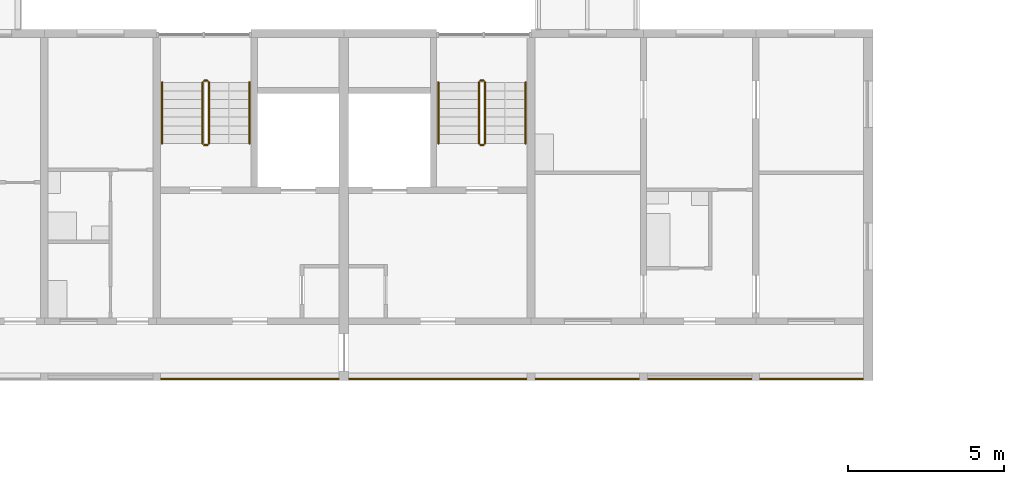
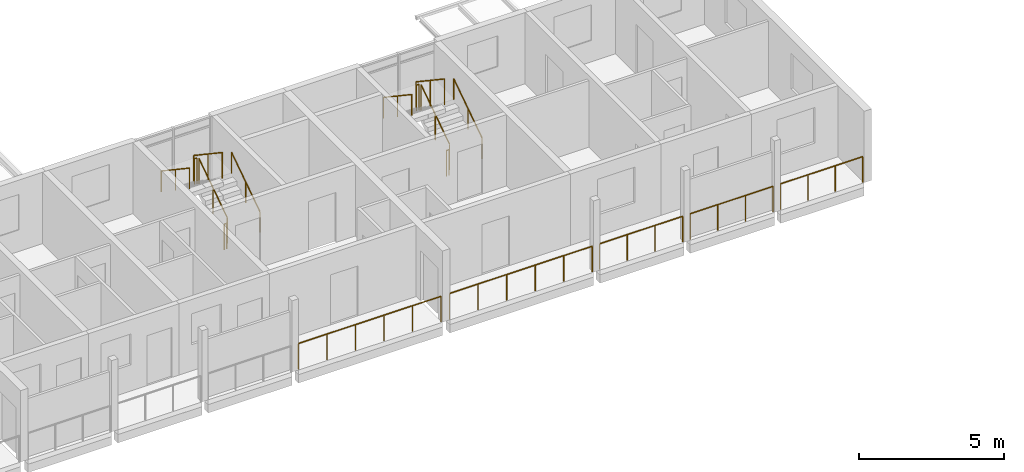
# One storey, part 112 of 115: 17 railings.
"""IFC4 building model written with IfcOpenShell, lengths in metres."""

from ifc_helpers import new_model, si_unit, direction, frame, origin, origin_2d, place, context, subcontext, project, spatial, circle, extrude, material, type_object, element, save


model = new_model("IFC4")

# Units and contexts
model_context = context("Model", 3, precision=1e-05, world=origin(), true_north=direction((0.0, 1.0)))
body_context = subcontext(model_context, "Body", "Model", "MODEL_VIEW")
ifc_project = project(units=[si_unit("LENGTHUNIT", "METRE"), si_unit("AREAUNIT", "SQUARE_METRE"), si_unit("VOLUMEUNIT", "CUBIC_METRE"), si_unit("PLANEANGLEUNIT", "RADIAN"), si_unit("MASSUNIT", "GRAM", prefix="KILO")], contexts=[model_context])

# Site, building, storey
site_placement = place(None, origin())
site = spatial("IfcSite", under=ifc_project, at=site_placement, CompositionType="ELEMENT")
building_placement = place(site_placement, origin())
building = spatial("IfcBuilding", under=site, at=building_placement, Name="Ridgestep Commons", CompositionType="ELEMENT")
storey_placement = place(building_placement, frame((0.0, 0.0, 6.0)))
storey = spatial("IfcBuildingStorey", under=building, at=storey_placement, Name="L02", CompositionType="ELEMENT", Elevation=6.0)

# Railings
ifc_material_1 = material(Name="Structural steel S355JR", Category="steel")
railing_type_1 = type_object("IfcRailingType", Name="Guard 1100", PredefinedType="GUARDRAIL", material=ifc_material_1)
railing_1_placement = place(storey_placement, frame((224.946044921875, 66.050048828125, 0.0)))
element("IfcRailing", 1, at=railing_1_placement, inside=storey, type_object=railing_type_1, Name="Gallery guard C 02.20", PredefinedType="GUARDRAIL", context=body_context, shape_type="SweptSolid", body=[
    extrude(circle(Radius=0.02392578125, at=origin_2d()), frame((0.0, 0.0, 1.076171875), z_axis=(1.0, 0.0, 0.0), x_axis=(0.0, 1.0, 0.0)), (0.0, 0.0, 1.0), 5.682861328125),
    extrude(circle(Radius=0.02099609375, at=origin_2d()), origin(), (0.0, 0.0, 1.0), 1.052001953125),
    extrude(circle(Radius=0.02099609375, at=origin_2d()), frame((1.136474609375, 0.0, 0.0)), (0.0, 0.0, 1.0), 1.052001953125),
    extrude(circle(Radius=0.02099609375, at=origin_2d()), frame((2.273193359375, 0.0, 0.0)), (0.0, 0.0, 1.0), 1.052001953125),
    extrude(circle(Radius=0.02099609375, at=origin_2d()), frame((3.40966796875, 0.0, 0.0)), (0.0, 0.0, 1.0), 1.052001953125),
    extrude(circle(Radius=0.02099609375, at=origin_2d()), frame((4.54638671875, 0.0, 0.0)), (0.0, 0.0, 1.0), 1.052001953125),
    extrude(circle(Radius=0.02099609375, at=origin_2d()), frame((5.682861328125, 0.0, 0.0)), (0.0, 0.0, 1.0), 1.052001953125),
])
railing_2_placement = place(storey_placement, frame((230.970947265625, 66.050048828125, 0.0)))
element("IfcRailing", 2, at=railing_2_placement, inside=storey, type_object=railing_type_1, Name="Gallery guard C 02.21", PredefinedType="GUARDRAIL", context=body_context, shape_type="SweptSolid", body=[
    extrude(circle(Radius=0.02392578125, at=origin_2d()), frame((0.0, 0.0, 1.076171875), z_axis=(1.0, 0.0, 0.0), x_axis=(0.0, 1.0, 0.0)), (0.0, 0.0, 1.0), 5.68310546875),
    extrude(circle(Radius=0.02099609375, at=origin_2d()), origin(), (0.0, 0.0, 1.0), 1.052001953125),
    extrude(circle(Radius=0.02099609375, at=origin_2d()), frame((1.13671875, 0.0, 0.0)), (0.0, 0.0, 1.0), 1.052001953125),
    extrude(circle(Radius=0.02099609375, at=origin_2d()), frame((2.273193359375, 0.0, 0.0)), (0.0, 0.0, 1.0), 1.052001953125),
    extrude(circle(Radius=0.02099609375, at=origin_2d()), frame((3.409912109375, 0.0, 0.0)), (0.0, 0.0, 1.0), 1.052001953125),
    extrude(circle(Radius=0.02099609375, at=origin_2d()), frame((4.54638671875, 0.0, 0.0)), (0.0, 0.0, 1.0), 1.052001953125),
    extrude(circle(Radius=0.02099609375, at=origin_2d()), frame((5.68310546875, 0.0, 0.0)), (0.0, 0.0, 1.0), 1.052001953125),
])
railing_3_placement = place(storey_placement, frame((236.946044921875, 66.050048828125, 0.0)))
element("IfcRailing", 3, at=railing_3_placement, inside=storey, type_object=railing_type_1, Name="Gallery guard C 02.22", PredefinedType="GUARDRAIL", context=body_context, shape_type="SweptSolid", body=[
    extrude(circle(Radius=0.02392578125, at=origin_2d()), frame((0.0, 0.0, 1.076171875), z_axis=(1.0, 0.0, 0.0), x_axis=(0.0, 1.0, 0.0)), (0.0, 0.0, 1.0), 3.307861328125),
    extrude(circle(Radius=0.02099609375, at=origin_2d()), origin(), (0.0, 0.0, 1.0), 1.052001953125),
    extrude(circle(Radius=0.02099609375, at=origin_2d()), frame((1.1025390625, 0.0, 0.0)), (0.0, 0.0, 1.0), 1.052001953125),
    extrude(circle(Radius=0.02099609375, at=origin_2d()), frame((2.205322265625, 0.0, 0.0)), (0.0, 0.0, 1.0), 1.052001953125),
    extrude(circle(Radius=0.02099609375, at=origin_2d()), frame((3.307861328125, 0.0, 0.0)), (0.0, 0.0, 1.0), 1.052001953125),
])
railing_4_placement = place(storey_placement, frame((240.5458984375, 66.050048828125, 0.0)))
element("IfcRailing", 4, at=railing_4_placement, inside=storey, type_object=railing_type_1, Name="Gallery guard C 02.23", PredefinedType="GUARDRAIL", context=body_context, shape_type="SweptSolid", body=[
    extrude(circle(Radius=0.02392578125, at=origin_2d()), frame((0.0, 0.0, 1.076171875), z_axis=(1.0, 0.0, 0.0), x_axis=(0.0, 1.0, 0.0)), (0.0, 0.0, 1.0), 3.30810546875),
    extrude(circle(Radius=0.02099609375, at=origin_2d()), origin(), (0.0, 0.0, 1.0), 1.052001953125),
    extrude(circle(Radius=0.02099609375, at=origin_2d()), frame((1.102783203125, 0.0, 0.0)), (0.0, 0.0, 1.0), 1.052001953125),
    extrude(circle(Radius=0.02099609375, at=origin_2d()), frame((2.205322265625, 0.0, 0.0)), (0.0, 0.0, 1.0), 1.052001953125),
    extrude(circle(Radius=0.02099609375, at=origin_2d()), frame((3.30810546875, 0.0, 0.0)), (0.0, 0.0, 1.0), 1.052001953125),
])
railing_5_placement = place(storey_placement, frame((244.14599609375, 66.050048828125, 0.0)))
element("IfcRailing", 5, at=railing_5_placement, inside=storey, type_object=railing_type_1, Name="Gallery guard C 02.24", PredefinedType="GUARDRAIL", context=body_context, shape_type="SweptSolid", body=[
    extrude(circle(Radius=0.02392578125, at=origin_2d()), frame((0.0, 0.0, 1.076171875), z_axis=(1.0, 0.0, 0.0), x_axis=(0.0, 1.0, 0.0)), (0.0, 0.0, 1.0), 3.282958984375),
    extrude(circle(Radius=0.02099609375, at=origin_2d()), origin(), (0.0, 0.0, 1.0), 1.052001953125),
    extrude(circle(Radius=0.02099609375, at=origin_2d()), frame((1.09423828125, 0.0, 0.0)), (0.0, 0.0, 1.0), 1.052001953125),
    extrude(circle(Radius=0.02099609375, at=origin_2d()), frame((2.188720703125, 0.0, 0.0)), (0.0, 0.0, 1.0), 1.052001953125),
    extrude(circle(Radius=0.02099609375, at=origin_2d()), frame((3.282958984375, 0.0, 0.0)), (0.0, 0.0, 1.0), 1.052001953125),
])
ifc_material_2 = material(Name="Structural steel S355JR", Category="steel")
railing_type_2 = type_object("IfcRailingType", Name="Stair guard 1100", PredefinedType="GUARDRAIL", material=ifc_material_2)
railing_6_placement = place(storey_placement, frame((226.47509765625, 73.60009765625, 0.1875)))
element("IfcRailing", 6, at=railing_6_placement, inside=storey, type_object=railing_type_2, Name="L02 C5C stair guard 1", PredefinedType="GUARDRAIL", context=body_context, shape_type="SweptSolid", body=[
    extrude(circle(Radius=0.02392578125, at=origin_2d()), frame((0.0, 0.0, 1.076171875), z_axis=(0.0, 0.830902050051, 0.556418712142), x_axis=(-1.0, 0.0, 0.0)), (0.0, 0.0, 1.0), 2.35888671875),
    extrude(circle(Radius=0.02099609375, at=origin_2d()), origin(), (0.0, 0.0, 1.0), 1.052001953125),
    extrude(circle(Radius=0.02099609375, at=origin_2d()), frame((0.0, 0.97998046875, 0.65625)), (0.0, 0.0, 1.0), 1.052001953125),
    extrude(circle(Radius=0.02099609375, at=origin_2d()), frame((0.0, 1.9599609375, 1.3125)), (0.0, 0.0, 1.0), 1.052001953125),
])
railing_7_placement = place(storey_placement, frame((226.425048828125, 75.610107421875, 1.5)))
element("IfcRailing", 7, at=railing_7_placement, inside=storey, type_object=railing_type_2, Name="L02 C5C stair guard 2", PredefinedType="GUARDRAIL", context=body_context, shape_type="SweptSolid", body=[
    extrude(circle(Radius=0.02392578125, at=origin_2d()), frame((0.0, 0.0, 1.076171875), z_axis=(-1.0, 0.0, 0.0), x_axis=(0.0, -1.0, 0.0)), (0.0, 0.0, 1.0), 0.10009765625),
    extrude(circle(Radius=0.02099609375, at=origin_2d()), origin(), (0.0, 0.0, 1.0), 1.052001953125),
    extrude(circle(Radius=0.02099609375, at=origin_2d()), frame((-0.10009765625, 0.0, 0.0)), (0.0, 0.0, 1.0), 1.052001953125),
])
railing_8_placement = place(storey_placement, frame((226.27490234375, 75.56005859375, 1.6875)))
element("IfcRailing", 8, at=railing_8_placement, inside=storey, type_object=railing_type_2, Name="L02 C5C stair guard 3", PredefinedType="GUARDRAIL", context=body_context, shape_type="SweptSolid", body=[
    extrude(circle(Radius=0.02392578125, at=origin_2d()), frame((0.0, 0.0, 1.076171875), z_axis=(0.0, -0.830902050051, 0.556418712142), x_axis=(1.0, 0.0, 0.0)), (0.0, 0.0, 1.0), 2.35888671875),
    extrude(circle(Radius=0.02099609375, at=origin_2d()), origin(), (0.0, 0.0, 1.0), 1.052001953125),
    extrude(circle(Radius=0.02099609375, at=origin_2d()), frame((0.0, -0.97998046875, 0.65625)), (0.0, 0.0, 1.0), 1.052001953125),
    extrude(circle(Radius=0.02099609375, at=origin_2d()), frame((0.0, -1.9599609375, 1.3125)), (0.0, 0.0, 1.0), 1.052001953125),
])
railing_9_placement = place(storey_placement, frame((226.425048828125, 73.550048828125, 0.0)))
element("IfcRailing", 9, at=railing_9_placement, inside=storey, type_object=railing_type_2, Name="L02 C5C stair guard 4", PredefinedType="GUARDRAIL", context=body_context, shape_type="SweptSolid", body=[
    extrude(circle(Radius=0.02392578125, at=origin_2d()), frame((0.0, 0.0, 1.076171875), z_axis=(-1.0, 0.0, 0.0), x_axis=(0.0, -1.0, 0.0)), (0.0, 0.0, 1.0), 0.10009765625),
    extrude(circle(Radius=0.02099609375, at=origin_2d()), origin(), (0.0, 0.0, 1.0), 1.052001953125),
    extrude(circle(Radius=0.02099609375, at=origin_2d()), frame((-0.10009765625, 0.0, 0.0)), (0.0, 0.0, 1.0), 1.052001953125),
])
railing_10_placement = place(storey_placement, frame((235.324951171875, 73.60009765625, 0.1875)))
element("IfcRailing", 10, at=railing_10_placement, inside=storey, type_object=railing_type_2, Name="L02 C6C stair guard 1", PredefinedType="GUARDRAIL", context=body_context, shape_type="SweptSolid", body=[
    extrude(circle(Radius=0.02392578125, at=origin_2d()), frame((0.0, 0.0, 1.076171875), z_axis=(0.0, 0.830902050051, 0.556418712142), x_axis=(-1.0, 0.0, 0.0)), (0.0, 0.0, 1.0), 2.35888671875),
    extrude(circle(Radius=0.02099609375, at=origin_2d()), origin(), (0.0, 0.0, 1.0), 1.052001953125),
    extrude(circle(Radius=0.02099609375, at=origin_2d()), frame((0.0, 0.97998046875, 0.65625)), (0.0, 0.0, 1.0), 1.052001953125),
    extrude(circle(Radius=0.02099609375, at=origin_2d()), frame((0.0, 1.9599609375, 1.3125)), (0.0, 0.0, 1.0), 1.052001953125),
])
railing_11_placement = place(storey_placement, frame((235.27490234375, 75.610107421875, 1.5)))
element("IfcRailing", 11, at=railing_11_placement, inside=storey, type_object=railing_type_2, Name="L02 C6C stair guard 2", PredefinedType="GUARDRAIL", context=body_context, shape_type="SweptSolid", body=[
    extrude(circle(Radius=0.02392578125, at=origin_2d()), frame((0.0, 0.0, 1.076171875), z_axis=(-1.0, 0.0, 0.0), x_axis=(0.0, -1.0, 0.0)), (0.0, 0.0, 1.0), 0.099853515625),
    extrude(circle(Radius=0.02099609375, at=origin_2d()), origin(), (0.0, 0.0, 1.0), 1.052001953125),
    extrude(circle(Radius=0.02099609375, at=origin_2d()), frame((-0.099853515625, 0.0, 0.0)), (0.0, 0.0, 1.0), 1.052001953125),
])
railing_12_placement = place(storey_placement, frame((235.125, 75.56005859375, 1.6875)))
element("IfcRailing", 12, at=railing_12_placement, inside=storey, type_object=railing_type_2, Name="L02 C6C stair guard 3", PredefinedType="GUARDRAIL", context=body_context, shape_type="SweptSolid", body=[
    extrude(circle(Radius=0.02392578125, at=origin_2d()), frame((0.0, 0.0, 1.076171875), z_axis=(0.0, -0.830902050051, 0.556418712142), x_axis=(1.0, 0.0, 0.0)), (0.0, 0.0, 1.0), 2.35888671875),
    extrude(circle(Radius=0.02099609375, at=origin_2d()), origin(), (0.0, 0.0, 1.0), 1.052001953125),
    extrude(circle(Radius=0.02099609375, at=origin_2d()), frame((0.0, -0.97998046875, 0.65625)), (0.0, 0.0, 1.0), 1.052001953125),
    extrude(circle(Radius=0.02099609375, at=origin_2d()), frame((0.0, -1.9599609375, 1.3125)), (0.0, 0.0, 1.0), 1.052001953125),
])
railing_13_placement = place(storey_placement, frame((235.27490234375, 73.550048828125, 0.0)))
element("IfcRailing", 13, at=railing_13_placement, inside=storey, type_object=railing_type_2, Name="L02 C6C stair guard 4", PredefinedType="GUARDRAIL", context=body_context, shape_type="SweptSolid", body=[
    extrude(circle(Radius=0.02392578125, at=origin_2d()), frame((0.0, 0.0, 1.076171875), z_axis=(-1.0, 0.0, 0.0), x_axis=(0.0, -1.0, 0.0)), (0.0, 0.0, 1.0), 0.099853515625),
    extrude(circle(Radius=0.02099609375, at=origin_2d()), origin(), (0.0, 0.0, 1.0), 1.052001953125),
    extrude(circle(Radius=0.02099609375, at=origin_2d()), frame((-0.099853515625, 0.0, 0.0)), (0.0, 0.0, 1.0), 1.052001953125),
])
ifc_material_3 = material(Name="Structural steel S355JR", Category="steel")
railing_type_3 = type_object("IfcRailingType", Name="Stair handrail 900", PredefinedType="HANDRAIL", material=ifc_material_3)
railing_14_placement = place(storey_placement, frame((227.77490234375, 73.60009765625, 0.1875)))
element("IfcRailing", 14, at=railing_14_placement, inside=storey, type_object=railing_type_3, Name="L02 C5C stair handrail 1", PredefinedType="HANDRAIL", context=body_context, shape_type="SweptSolid", body=[
    extrude(circle(Radius=0.02392578125, at=origin_2d()), frame((0.0, 0.0, 0.8759765625), z_axis=(0.0, 0.830902050051, 0.556418712142), x_axis=(-1.0, 0.0, 0.0)), (0.0, 0.0, 1.0), 2.35888671875),
    extrude(circle(Radius=0.02099609375, at=origin_2d()), origin(), (0.0, 0.0, 1.0), 0.851806640625),
    extrude(circle(Radius=0.02099609375, at=origin_2d()), frame((0.0, 0.97998046875, 0.65625)), (0.0, 0.0, 1.0), 0.851806640625),
    extrude(circle(Radius=0.02099609375, at=origin_2d()), frame((0.0, 1.9599609375, 1.3125)), (0.0, 0.0, 1.0), 0.851806640625),
])
railing_15_placement = place(storey_placement, frame((224.97509765625, 75.56005859375, 1.6875)))
element("IfcRailing", 15, at=railing_15_placement, inside=storey, type_object=railing_type_3, Name="L02 C5C stair handrail 2", PredefinedType="HANDRAIL", context=body_context, shape_type="SweptSolid", body=[
    extrude(circle(Radius=0.02392578125, at=origin_2d()), frame((0.0, 0.0, 0.8759765625), z_axis=(0.0, -0.830902050051, 0.556418712142), x_axis=(1.0, 0.0, 0.0)), (0.0, 0.0, 1.0), 2.35888671875),
    extrude(circle(Radius=0.02099609375, at=origin_2d()), origin(), (0.0, 0.0, 1.0), 0.851806640625),
    extrude(circle(Radius=0.02099609375, at=origin_2d()), frame((0.0, -0.97998046875, 0.65625)), (0.0, 0.0, 1.0), 0.851806640625),
    extrude(circle(Radius=0.02099609375, at=origin_2d()), frame((0.0, -1.9599609375, 1.3125)), (0.0, 0.0, 1.0), 0.851806640625),
])
railing_16_placement = place(storey_placement, frame((236.625, 73.60009765625, 0.1875)))
element("IfcRailing", 16, at=railing_16_placement, inside=storey, type_object=railing_type_3, Name="L02 C6C stair handrail 1", PredefinedType="HANDRAIL", context=body_context, shape_type="SweptSolid", body=[
    extrude(circle(Radius=0.02392578125, at=origin_2d()), frame((0.0, 0.0, 0.8759765625), z_axis=(0.0, 0.830902050051, 0.556418712142), x_axis=(-1.0, 0.0, 0.0)), (0.0, 0.0, 1.0), 2.35888671875),
    extrude(circle(Radius=0.02099609375, at=origin_2d()), origin(), (0.0, 0.0, 1.0), 0.851806640625),
    extrude(circle(Radius=0.02099609375, at=origin_2d()), frame((0.0, 0.97998046875, 0.65625)), (0.0, 0.0, 1.0), 0.851806640625),
    extrude(circle(Radius=0.02099609375, at=origin_2d()), frame((0.0, 1.9599609375, 1.3125)), (0.0, 0.0, 1.0), 0.851806640625),
])
railing_17_placement = place(storey_placement, frame((233.824951171875, 75.56005859375, 1.6875)))
element("IfcRailing", 17, at=railing_17_placement, inside=storey, type_object=railing_type_3, Name="L02 C6C stair handrail 2", PredefinedType="HANDRAIL", context=body_context, shape_type="SweptSolid", body=[
    extrude(circle(Radius=0.02392578125, at=origin_2d()), frame((0.0, 0.0, 0.8759765625), z_axis=(0.0, -0.830902050051, 0.556418712142), x_axis=(1.0, 0.0, 0.0)), (0.0, 0.0, 1.0), 2.35888671875),
    extrude(circle(Radius=0.02099609375, at=origin_2d()), origin(), (0.0, 0.0, 1.0), 0.851806640625),
    extrude(circle(Radius=0.02099609375, at=origin_2d()), frame((0.0, -0.97998046875, 0.65625)), (0.0, 0.0, 1.0), 0.851806640625),
    extrude(circle(Radius=0.02099609375, at=origin_2d()), frame((0.0, -1.9599609375, 1.3125)), (0.0, 0.0, 1.0), 0.851806640625),
])

save(model, "model.ifc")
